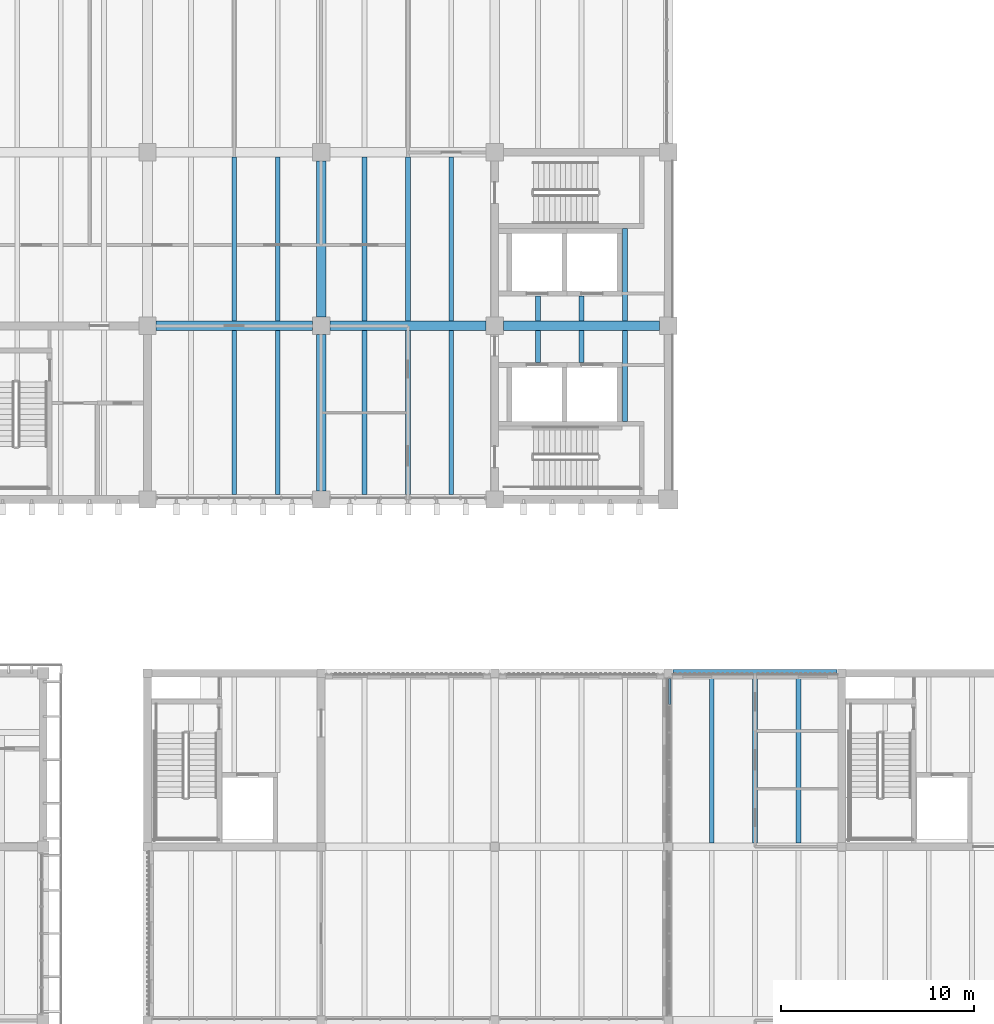
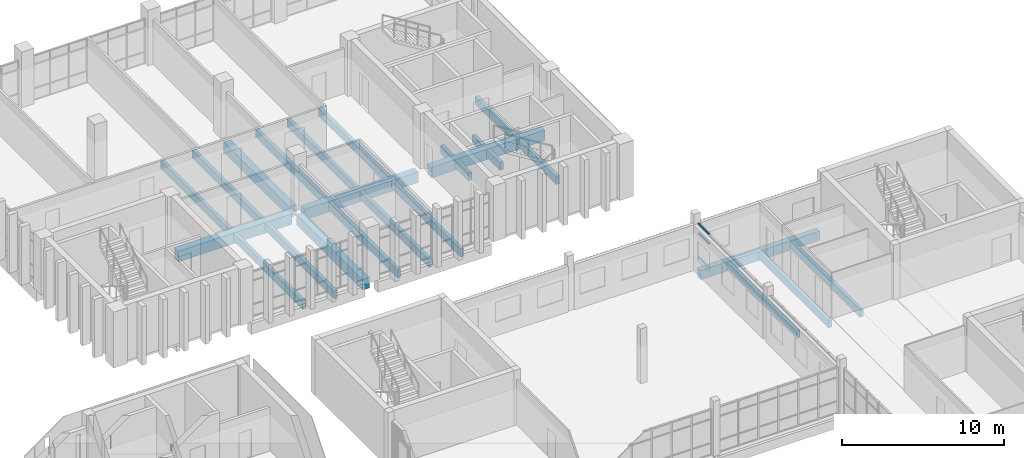
# One storey, part 32 of 88: 25 beams, 3 members, 1 element without a shape of its own.
"""IFC4 building model written with IfcOpenShell, lengths in metres."""

import ifcopenshell
import ifcopenshell.guid

model = None  # the IFC model being written
_history = None  # IfcOwnerHistory: only IFC2X3 demands one
_inside = {}  # id of a spatial element -> (the spatial element, [elements in it])
_under = {}  # id of a project, library or spatial element -> (it, [spatial elements below it])
_declared = {}  # id of a project -> (the project, [libraries it declares])
_typed = {}  # id of a type object -> (the type object, [elements of that type])
_made_of = {}  # id of a material, layer set ... -> (it, [elements and type objects made of it])


def new_model(schema):
    """Start an empty IFC model of exactly this schema.

    Asked for "IFC4X3", IfcOpenShell would pick the latest addendum, in which some entities
    have other attributes; the version numbers below select the first issue.
    IFC2X3 requires an IfcOwnerHistory on every rooted entity: one is made here for all.
    """
    global model, _history
    if schema == "IFC4X3":
        model = ifcopenshell.file(schema_version=(4, 3, 0, 0))
    else:
        model = ifcopenshell.file(schema=schema)
    _inside.clear()
    _under.clear()
    _declared.clear()
    _typed.clear()
    _made_of.clear()
    _history = None
    if model.schema == "IFC2X3":
        org = make("IfcOrganization", Name="unknown")
        user = make(
            "IfcPersonAndOrganization",
            ThePerson=make("IfcPerson", FamilyName="unknown"),
            TheOrganization=org,
        )
        app = make(
            "IfcApplication",
            ApplicationDeveloper=org,
            Version="unknown",
            ApplicationFullName="unknown",
            ApplicationIdentifier="unknown",
        )
        _history = make(
            "IfcOwnerHistory",
            OwningUser=user,
            OwningApplication=app,
            ChangeAction="ADDED",
            CreationDate=0,
        )
    return model


def make(cls, **values):
    """One entity of the class cls with the attributes given. An attribute that is None is left unset."""
    return model.create_entity(
        cls, **{name: value for name, value in values.items() if value is not None}
    )


def rooted(cls, **values):
    """An entity with a GlobalId (a new one), such as an element, a storey or a relation."""
    return make(cls, GlobalId=ifcopenshell.guid.new(), OwnerHistory=_history, **values)


def si_unit(unit_type, name, prefix=None):
    """IfcSIUnit, for example si_unit("LENGTHUNIT", "METRE", prefix="MILLI")."""
    return make("IfcSIUnit", UnitType=unit_type, Prefix=prefix, Name=name)


def assignment(units):
    """IfcUnitAssignment: the units of a project."""
    return None if units is None else make("IfcUnitAssignment", Units=units)


def point(xyz):
    """IfcCartesianPoint."""
    return None if xyz is None else make("IfcCartesianPoint", Coordinates=xyz)


def direction(xyz):
    """IfcDirection."""
    return None if xyz is None else make("IfcDirection", DirectionRatios=xyz)


def frame(location, z_axis=None, x_axis=None):
    """IfcAxis2Placement3D, a coordinate frame: its origin and axes. An axis left out is left unset."""
    return make(
        "IfcAxis2Placement3D",
        Location=point(location),
        Axis=direction(z_axis),
        RefDirection=direction(x_axis),
    )


def frame_2d(location, x_axis=None):
    """IfcAxis2Placement2D, a coordinate frame in the plane: its origin and x axis."""
    return make(
        "IfcAxis2Placement2D", Location=point(location), RefDirection=direction(x_axis)
    )


def origin():
    """The frame at (0, 0, 0) with its axes left unset."""
    return frame((0.0, 0.0, 0.0))


def origin_2d():
    """The frame at (0, 0) in the plane with its x axis left unset."""
    return frame_2d((0.0, 0.0))


def place(relative_to, where):
    """IfcLocalPlacement: puts the frame where relative to a parent placement (None: the world)."""
    return make(
        "IfcLocalPlacement", PlacementRelTo=relative_to, RelativePlacement=where
    )


def context(
    kind, dimensions, precision=None, world=None, true_north=None, identifier=None
):
    """IfcGeometricRepresentationContext, for example the 3D "Model" context."""
    return make(
        "IfcGeometricRepresentationContext",
        ContextIdentifier=identifier,
        ContextType=kind,
        CoordinateSpaceDimension=dimensions,
        Precision=precision,
        WorldCoordinateSystem=world,
        TrueNorth=true_north,
    )


def subcontext(parent, identifier, kind, view, scale=None):
    """IfcGeometricRepresentationSubContext, for example "Body" below "Model"."""
    return make(
        "IfcGeometricRepresentationSubContext",
        ContextIdentifier=identifier,
        ContextType=kind,
        ParentContext=parent,
        TargetScale=scale,
        TargetView=view,
    )


def project(units=None, contexts=None):
    """IfcProject with its units and contexts."""
    return rooted(
        "IfcProject",
        Name="project",
        RepresentationContexts=contexts,
        UnitsInContext=assignment(units),
    )


def spatial(cls, under=None, at=None, **own):
    """A site, building, storey or space (cls), placed at a placement, below another one or the project."""
    s = rooted(cls, ObjectPlacement=at, **own)
    if under is not None:
        _under.setdefault(under.id(), (under, []))[1].append(s)
    return s


def profile(cls, at=None, kind="AREA", **sizes):
    """A parametric profile (cls). Its sizes go by their IFC names, for example OverallWidth=200.0."""
    return make(cls, ProfileType=kind, Position=at, **sizes)


def rectangle(**sizes):
    """IfcRectangleProfileDef."""
    return profile("IfcRectangleProfileDef", **sizes)


def extrude(swept, where, along, depth):
    """IfcExtrudedAreaSolid: the profile swept, set in the frame where, extruded along a direction by depth."""
    return make(
        "IfcExtrudedAreaSolid",
        SweptArea=swept,
        Position=where,
        ExtrudedDirection=direction(along),
        Depth=depth,
    )


def shape(context_of_items, identifier, shape_type, items):
    """IfcShapeRepresentation: the items that make up one representation, for example the "Body"."""
    return make(
        "IfcShapeRepresentation",
        ContextOfItems=context_of_items,
        RepresentationIdentifier=identifier,
        RepresentationType=shape_type,
        Items=items,
    )


def material(Name=None, Category=None):
    """IfcMaterial."""
    return make("IfcMaterial", Name=Name, Category=Category)


def material_profile(
    of_material, cross_section, Name=None, Category=None, Priority=None
):
    """IfcMaterialProfile: a cross section and its material."""
    return make(
        "IfcMaterialProfile",
        Name=Name,
        Material=of_material,
        Profile=cross_section,
        Priority=Priority,
        Category=Category,
    )


def profile_set(profiles, Name=None, composite=None):
    """IfcMaterialProfileSet."""
    return make(
        "IfcMaterialProfileSet",
        Name=Name,
        MaterialProfiles=profiles,
        CompositeProfile=composite,
    )


def made_of(thing, what):
    """Note that an element or type object is made of a material, layer set ...; save() writes the relation."""
    if what is not None:
        _made_of.setdefault(what.id(), (what, []))[1].append(thing)
    return thing


def type_object(cls, material=None, **own):
    """A type object (cls), such as IfcWallType, which elements share."""
    return made_of(rooted(cls, **own), material)


def element(
    cls,
    number,
    at=None,
    inside=None,
    cuts=None,
    type_object=None,
    material=None,
    context=None,
    identifier="Body",
    shape_type=None,
    held_by="IfcProductDefinitionShape",
    body=None,
    shapes=None,
    **own,
):
    """One element of the class cls, such as IfcWall. Its Tag is "e" and its number.

    at: its placement. inside: the storey or other place that contains it. cuts: it is an
    opening in that element (IfcRelVoidsElement). A single representation is given by context,
    identifier, shape_type and body (its items); several are given by shapes. held_by: the class
    of the entity that holds the representations. save() writes the other relations.
    """
    e = rooted(cls, Tag="e%d" % number, ObjectPlacement=at, **own)
    if body is not None:
        shapes = [shape(context, identifier, shape_type, body)]
    if shapes is not None:
        e.Representation = make(held_by, Representations=shapes)
    if inside is not None:
        _inside.setdefault(inside.id(), (inside, []))[1].append(e)
    if cuts is not None:
        rooted(
            "IfcRelVoidsElement", RelatingBuildingElement=cuts, RelatedOpeningElement=e
        )
    if type_object is not None:
        _typed.setdefault(type_object.id(), (type_object, []))[1].append(e)
    return made_of(e, material)


def aggregate(whole, parts):
    """IfcRelAggregates: a whole, such as a stair, and the parts it consists of."""
    return rooted("IfcRelAggregates", RelatingObject=whole, RelatedObjects=parts)


def save(model, path):
    """Write the relations noted so far, then the file.

    IfcRelAggregates (storeys below a building ...), IfcRelContainedInSpatialStructure (elements
    in a storey), IfcRelDefinesByType, IfcRelAssociatesMaterial and IfcRelDeclares: one each for
    every whole, place, type object, material and project.
    """
    for whole, parts in _under.values():
        aggregate(whole, parts)
    for where, things in _inside.values():
        rooted(
            "IfcRelContainedInSpatialStructure",
            RelatedElements=things,
            RelatingStructure=where,
        )
    for kind, things in _typed.values():
        rooted("IfcRelDefinesByType", RelatedObjects=things, RelatingType=kind)
    for what, things in _made_of.values():
        rooted("IfcRelAssociatesMaterial", RelatedObjects=things, RelatingMaterial=what)
    for by, libraries in _declared.values():
        rooted("IfcRelDeclares", RelatingContext=by, RelatedDefinitions=libraries)
    model.write(path)


model = new_model("IFC4")

# Units and contexts
model_context = context("Model", 3, precision=1e-05, world=origin(), true_north=direction((0.0, 1.0)))
body_context = subcontext(model_context, "Body", "Model", "MODEL_VIEW")
ifc_project = project(units=[si_unit("LENGTHUNIT", "METRE"), si_unit("AREAUNIT", "SQUARE_METRE"), si_unit("VOLUMEUNIT", "CUBIC_METRE"), si_unit("PLANEANGLEUNIT", "RADIAN"), si_unit("MASSUNIT", "GRAM", prefix="KILO")], contexts=[model_context])

# Site, building, storey
site_placement = place(None, origin())
site = spatial("IfcSite", under=ifc_project, at=site_placement, CompositionType="ELEMENT")
building_placement = place(site_placement, origin())
building = spatial("IfcBuilding", under=site, at=building_placement, Name="Merrow Basin Faculty of Sciences", CompositionType="ELEMENT")
storey_placement = place(building_placement, frame((0.0, 0.0, 9.0)))
storey = spatial("IfcBuildingStorey", under=building, at=storey_placement, Name="L02", CompositionType="ELEMENT", Elevation=9.0)

# Curtain wall, members
ifc_material_1 = material(Name="Aluminium alloy 6063", Category="aluminium")
curtain_wall_type = type_object("IfcCurtainWallType", Name="Court curtain wall 140", PredefinedType="NOTDEFINED", material=ifc_material_1)
curtain_wall_placement = place(storey_placement, origin())
curtain_wall = element("IfcCurtainWall", 1, at=curtain_wall_placement, inside=storey, type_object=curtain_wall_type, Name="Court curtain wall L02 8", PredefinedType="NOTDEFINED")
ifc_material_2 = material(Name="Aluminium alloy 6063", Category="aluminium")
ifc_material_profile_1 = material_profile(ifc_material_2, rectangle(XDim=0.1201171875, YDim=0.06005859375, at=origin_2d()))
ifc_profile_set_1 = profile_set([ifc_material_profile_1], Name="Aluminium alloy 6063")
member_type = type_object("IfcMemberType", Name="Aluminium transom 60x120", PredefinedType="USERDEFINED", material=ifc_profile_set_1)
member_1_placement = place(storey_placement, frame((54.070068359375, 131.3798828125, 0.89990234375), z_axis=(0.0, 1.0, 0.0), x_axis=(-1.0, 0.0, 0.0)))
member_1 = element("IfcMember", 2, at=member_1_placement, type_object=member_type, Name="CW8 transom 6.2", ObjectType="TRANSOM", PredefinedType="USERDEFINED", context=body_context, shape_type="SweptSolid", body=[
    extrude(rectangle(XDim=0.1201171875, YDim=0.06005859375, at=origin_2d()), origin(), (0.0, 0.0, 1.0), 1.335205078125),
])
member_2_placement = place(storey_placement, frame((54.070068359375, 131.3798828125, 2.699951171875), z_axis=(0.0, 1.0, 0.0), x_axis=(-1.0, 0.0, 0.0)))
member_2 = element("IfcMember", 3, at=member_2_placement, type_object=member_type, Name="CW8 transom 6.3", ObjectType="TRANSOM", PredefinedType="USERDEFINED", context=body_context, shape_type="SweptSolid", body=[
    extrude(rectangle(XDim=0.1201171875, YDim=0.06005859375, at=origin_2d()), origin(), (0.0, 0.0, 1.0), 1.335205078125),
])
member_3_placement = place(storey_placement, frame((54.070068359375, 131.3798828125, 3.419921875), z_axis=(0.0, 1.0, 0.0), x_axis=(-1.0, 0.0, 0.0)))
member_3 = element("IfcMember", 4, at=member_3_placement, type_object=member_type, Name="CW8 transom 6.4", ObjectType="TRANSOM", PredefinedType="USERDEFINED", context=body_context, shape_type="SweptSolid", body=[
    extrude(rectangle(XDim=0.1201171875, YDim=0.06005859375, at=origin_2d()), origin(), (0.0, 0.0, 1.0), 1.335205078125),
])
aggregate(curtain_wall, [member_1, member_2, member_3])

# Beams
ifc_material_3 = material(Name="Concrete C40/50", Category="concrete")
ifc_material_profile_2 = material_profile(ifc_material_3, rectangle(XDim=0.39990234375, YDim=0.699951171875, at=origin_2d()))
ifc_profile_set_2 = profile_set([ifc_material_profile_2], Name="Concrete C40/50")
beam_type_1 = type_object("IfcBeamType", Name="Beam RC400x700 C40/50", PredefinedType="BEAM", material=ifc_profile_set_2)
beam_1_placement = place(storey_placement, frame((54.25, 133.0, -0.60009765625), z_axis=(1.0, 0.0, 0.0), x_axis=(0.0, 1.0, 0.0)))
element("IfcBeam", 5, at=beam_1_placement, inside=storey, type_object=beam_type_1, Name="B3 L02 019", PredefinedType="BEAM", context=body_context, shape_type="SweptSolid", body=[
    extrude(rectangle(XDim=0.39990234375, YDim=0.699951171875, at=origin_2d()), origin(), (0.0, 0.0, 1.0), 8.5),
])
ifc_material_4 = material(Name="Concrete C40/50", Category="concrete")
ifc_material_profile_3 = material_profile(ifc_material_4, rectangle(XDim=0.5, YDim=0.800048828125, at=origin_2d()))
ifc_profile_set_3 = profile_set([ifc_material_profile_3], Name="Concrete C40/50")
beam_type_2 = type_object("IfcBeamType", Name="Beam RC500x800 C40/50", PredefinedType="BEAM", material=ifc_profile_set_3)
for number, where, z_axis, x_axis, name in (
    (6, (27.449951171875, 151.0, -0.699951171875), (1.0, 0.0, 0.0), (0.0, 1.0, 0.0), "B4 L02 003"),
    (7, (36.449951171875, 151.0, -0.699951171875), (1.0, 0.0, 0.0), (0.0, 1.0, 0.0), "B4 L02 004"),
    (8, (45.449951171875, 151.0, -0.699951171875), (1.0, 0.0, 0.0), (0.0, 1.0, 0.0), "B4 L02 005"),
    (9, (36.0, 142.449951171875, -0.699951171875), (0.0, 1.0, 0.0), (-1.0, 0.0, 0.0), "B4 L02 017"),
    (10, (36.0, 151.449951171875, -0.699951171875), (0.0, 1.0, 0.0), (-1.0, 0.0, 0.0), "B4 L02 018"),
):
    element("IfcBeam", number, at=place(storey_placement, frame(where, z_axis=z_axis, x_axis=x_axis)), inside=storey, type_object=beam_type_2, Name=name, PredefinedType="BEAM", context=body_context, shape_type="SweptSolid", body=[
        extrude(rectangle(XDim=0.5, YDim=0.800048828125, at=origin_2d()), origin(), (0.0, 0.0, 1.0), 8.10009765625),
    ])
ifc_material_5 = material(Name="Concrete C40/50", Category="concrete")
ifc_material_profile_4 = material_profile(ifc_material_5, rectangle(XDim=0.25, YDim=0.550048828125, at=origin_2d()))
ifc_profile_set_4 = profile_set([ifc_material_profile_4], Name="Concrete C40/50")
beam_type_3 = type_object("IfcBeamType", Name="Commons floor joist RC250x550 C40/50", PredefinedType="BEAM", material=ifc_profile_set_4)
for number, where, z_axis, x_axis, name in (
    (11, (56.25, 124.199951171875, -0.52490234375), (0.0, 1.0, 0.0), (-1.0, 0.0, 0.0), "JC1 L02 081"),
    (12, (58.5, 124.199951171875, -0.52490234375), (0.0, 1.0, 0.0), (-1.0, 0.0, 0.0), "JC1 L02 082"),
    (13, (60.75, 124.199951171875, -0.52490234375), (0.0, 1.0, 0.0), (-1.0, 0.0, 0.0), "JC1 L02 083"),
):
    element("IfcBeam", number, at=place(storey_placement, frame(where, z_axis=z_axis, x_axis=x_axis)), inside=storey, type_object=beam_type_3, Name=name, PredefinedType="BEAM", context=body_context, shape_type="SweptSolid", body=[
        extrude(rectangle(XDim=0.25, YDim=0.550048828125, at=origin_2d()), origin(), (0.0, 0.0, 1.0), 8.60009765625),
    ])
ifc_material_6 = material(Name="Concrete C40/50", Category="concrete")
ifc_material_profile_5 = material_profile(ifc_material_6, rectangle(XDim=0.25, YDim=0.60009765625, at=origin_2d()))
ifc_profile_set_5 = profile_set([ifc_material_profile_5], Name="Concrete C40/50")
beam_type_4 = type_object("IfcBeamType", Name="Tower floor joist RC250x600 C40/50", PredefinedType="BEAM", material=ifc_profile_set_5)
for number, where, z_axis, x_axis, name in (
    (14, (31.5, 142.25, -0.60009765625), (0.0, 1.0, 0.0), (-1.0, 0.0, 0.0), "JT1 L02 033"),
    (15, (33.75, 142.25, -0.60009765625), (0.0, 1.0, 0.0), (-1.0, 0.0, 0.0), "JT1 L02 034"),
    (16, (31.5, 151.25, -0.60009765625), (0.0, 1.0, 0.0), (-1.0, 0.0, 0.0), "JT1 L02 036"),
    (17, (33.75, 151.25, -0.60009765625), (0.0, 1.0, 0.0), (-1.0, 0.0, 0.0), "JT1 L02 037"),
    (18, (38.25, 142.25, -0.60009765625), (0.0, 1.0, 0.0), (-1.0, 0.0, 0.0), "JT1 L02 041"),
    (19, (40.5, 142.25, -0.60009765625), (0.0, 1.0, 0.0), (-1.0, 0.0, 0.0), "JT1 L02 042"),
    (20, (42.75, 142.25, -0.60009765625), (0.0, 1.0, 0.0), (-1.0, 0.0, 0.0), "JT1 L02 043"),
    (21, (38.25, 151.25, -0.60009765625), (0.0, 1.0, 0.0), (-1.0, 0.0, 0.0), "JT1 L02 044"),
    (22, (40.5, 151.25, -0.60009765625), (0.0, 1.0, 0.0), (-1.0, 0.0, 0.0), "JT1 L02 045"),
    (23, (42.75, 151.25, -0.60009765625), (0.0, 1.0, 0.0), (-1.0, 0.0, 0.0), "JT1 L02 046"),
):
    element("IfcBeam", number, at=place(storey_placement, frame(where, z_axis=z_axis, x_axis=x_axis)), inside=storey, type_object=beam_type_4, Name=name, PredefinedType="BEAM", context=body_context, shape_type="SweptSolid", body=[
        extrude(rectangle(XDim=0.25, YDim=0.60009765625, at=origin_2d()), origin(), (0.0, 0.0, 1.0), 8.5),
    ])
for number, where, z_axis, x_axis, name in (
    (24, (47.25, 149.10009765625, -0.60009765625), (0.0, 1.0, 0.0), (-1.0, 0.0, 0.0), "JT1 L02 050"),
    (25, (49.5, 149.10009765625, -0.60009765625), (0.0, 1.0, 0.0), (-1.0, 0.0, 0.0), "JT1 L02 051"),
):
    element("IfcBeam", number, at=place(storey_placement, frame(where, z_axis=z_axis, x_axis=x_axis)), inside=storey, type_object=beam_type_4, Name=name, PredefinedType="BEAM", context=body_context, shape_type="SweptSolid", body=[
        extrude(rectangle(XDim=0.25, YDim=0.60009765625, at=origin_2d()), origin(), (0.0, 0.0, 1.0), 1.64990234375),
    ])
beam_2_placement = place(storey_placement, frame((51.75, 146.050048828125, -0.60009765625), z_axis=(0.0, 1.0, 0.0), x_axis=(-1.0, 0.0, 0.0)))
element("IfcBeam", 26, at=beam_2_placement, inside=storey, type_object=beam_type_4, Name="JT1 L02 052", PredefinedType="BEAM", context=body_context, shape_type="SweptSolid", body=[
    extrude(rectangle(XDim=0.25, YDim=0.60009765625, at=origin_2d()), origin(), (0.0, 0.0, 1.0), 4.699951171875),
])
for number, where, z_axis, x_axis, name in (
    (27, (47.25, 151.25, -0.60009765625), (0.0, 1.0, 0.0), (-1.0, 0.0, 0.0), "JT1 L02 053"),
    (28, (49.5, 151.25, -0.60009765625), (0.0, 1.0, 0.0), (-1.0, 0.0, 0.0), "JT1 L02 054"),
):
    element("IfcBeam", number, at=place(storey_placement, frame(where, z_axis=z_axis, x_axis=x_axis)), inside=storey, type_object=beam_type_4, Name=name, PredefinedType="BEAM", context=body_context, shape_type="SweptSolid", body=[
        extrude(rectangle(XDim=0.25, YDim=0.60009765625, at=origin_2d()), origin(), (0.0, 0.0, 1.0), 1.300048828125),
    ])
beam_3_placement = place(storey_placement, frame((51.75, 151.25, -0.60009765625), z_axis=(0.0, 1.0, 0.0), x_axis=(-1.0, 0.0, 0.0)))
element("IfcBeam", 29, at=beam_3_placement, inside=storey, type_object=beam_type_4, Name="JT1 L02 055", PredefinedType="BEAM", context=body_context, shape_type="SweptSolid", body=[
    extrude(rectangle(XDim=0.25, YDim=0.60009765625, at=origin_2d()), origin(), (0.0, 0.0, 1.0), 4.800048828125),
])

save(model, "model.ifc")
